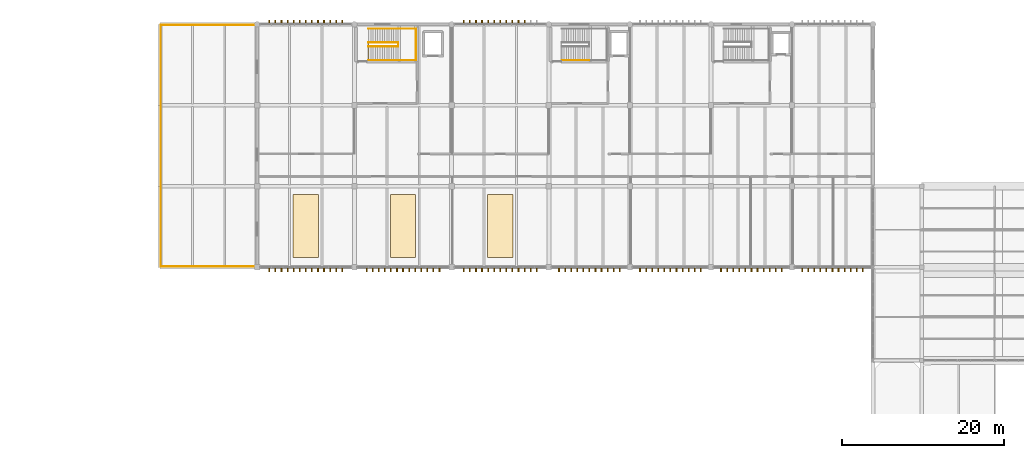
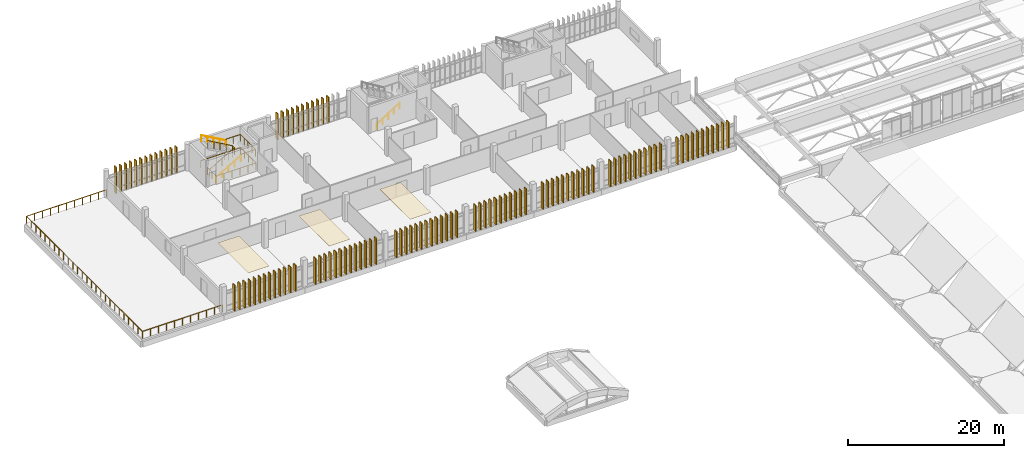
# One storey, part 81 of 82: 107 shading devices, 7 railings, 3 coverings.
"""IFC4 building model written with IfcOpenShell, lengths in metres."""

from ifc_helpers import new_model, si_unit, direction, frame, origin, origin_2d, place, context, subcontext, project, spatial, polyline, rectangle, circle, outline, extrude, material, layer, layer_set, type_object, element, save


model = new_model("IFC4")

# Units and contexts
model_context = context("Model", 3, precision=1e-05, world=origin(), true_north=direction((0.0, 1.0)))
body_context = subcontext(model_context, "Body", "Model", "MODEL_VIEW")
ifc_project = project(units=[si_unit("LENGTHUNIT", "METRE"), si_unit("AREAUNIT", "SQUARE_METRE"), si_unit("VOLUMEUNIT", "CUBIC_METRE"), si_unit("PLANEANGLEUNIT", "RADIAN"), si_unit("MASSUNIT", "GRAM", prefix="KILO")], contexts=[model_context])

# Site, building, storey
site_placement = place(None, origin())
site = spatial("IfcSite", under=ifc_project, at=site_placement, CompositionType="ELEMENT")
building_placement = place(site_placement, origin())
building = spatial("IfcBuilding", under=site, at=building_placement, Name="Mersad Railyard Sports Hall", CompositionType="ELEMENT")
storey_placement = place(building_placement, frame((0.0, 0.0, 13.199951171875)))
storey = spatial("IfcBuildingStorey", under=building, at=storey_placement, Name="L03", CompositionType="ELEMENT", Elevation=13.199951171875)

# Coverings
ifc_material_1 = material(Name="Gypsum plasterboard", Category="gypsum")
ifc_layer = layer(ifc_material_1, 0.02490234375)
ifc_layer_set = layer_set([ifc_layer], Name="Gypsum plasterboard")
covering_type = type_object("IfcCoveringType", Name="ARC-CV-CL01", PredefinedType="CEILING", material=ifc_layer_set)
covering_1_placement = place(storey_placement, frame((0.0, 0.0, 3.85498046875)))
element("IfcCovering", 1, at=covering_1_placement, inside=storey, type_object=covering_type, Name="Acoustic ceiling panel 010", PredefinedType="CEILING", context=body_context, shape_type="SweptSolid", body=[
    extrude(outline(polyline([(59.449951171875, 86.199951171875), (62.550048828125, 86.199951171875), (62.550048828125, 94.0), (59.449951171875, 94.0), (59.449951171875, 86.199951171875)])), origin(), (0.0, 0.0, 1.0), 0.025146484375),
])
covering_2_placement = place(storey_placement, frame((0.0, 0.0, 3.85498046875)))
element("IfcCovering", 2, at=covering_2_placement, inside=storey, type_object=covering_type, Name="Acoustic ceiling panel 011", PredefinedType="CEILING", context=body_context, shape_type="SweptSolid", body=[
    extrude(outline(polyline([(71.449951171875, 86.199951171875), (74.550048828125, 86.199951171875), (74.550048828125, 94.0), (71.449951171875, 94.0), (71.449951171875, 86.199951171875)])), origin(), (0.0, 0.0, 1.0), 0.025146484375),
])
covering_3_placement = place(storey_placement, frame((0.0, 0.0, 3.85498046875)))
element("IfcCovering", 3, at=covering_3_placement, inside=storey, type_object=covering_type, Name="Acoustic ceiling panel 012", PredefinedType="CEILING", context=body_context, shape_type="SweptSolid", body=[
    extrude(outline(polyline([(83.449951171875, 86.199951171875), (86.550048828125, 86.199951171875), (86.550048828125, 94.0), (83.449951171875, 94.0), (83.449951171875, 86.199951171875)])), origin(), (0.0, 0.0, 1.0), 0.025146484375),
])

# Railings
ifc_material_2 = material(Name="Steel S355", Category="steel")
railing_type_1 = type_object("IfcRailingType", Name="ARC-RL-GR01", PredefinedType="GUARDRAIL", material=ifc_material_2)
railing_1_placement = place(storey_placement, frame((54.949951171875, 85.10009765625, 0.0)))
element("IfcRailing", 4, at=railing_1_placement, inside=storey, type_object=railing_type_1, Name="Perimeter guard GR01-0006", PredefinedType="GUARDRAIL", context=body_context, shape_type="SweptSolid", body=[
    extrude(circle(Radius=0.02392578125, at=origin_2d()), frame((0.0, 0.0, 1.09619140625), z_axis=(-1.0, 0.0, 0.0), x_axis=(0.0, -1.0, 0.0)), (0.0, 0.0, 1.0), 11.849853515625),
    extrude(circle(Radius=0.02392578125, at=origin_2d()), frame((-11.849853515625, 0.0, 1.09619140625), z_axis=(0.0, 1.0, 0.0), x_axis=(-1.0, 0.0, 0.0)), (0.0, 0.0, 1.0), 29.7998046875),
    extrude(circle(Radius=0.02392578125, at=origin_2d()), frame((-11.849853515625, 29.7998046875, 1.09619140625), z_axis=(1.0, 0.0, 0.0), x_axis=(0.0, 1.0, 0.0)), (0.0, 0.0, 1.0), 11.849853515625),
    extrude(circle(Radius=0.02099609375, at=origin_2d()), origin(), (0.0, 0.0, 1.0), 1.072021484375),
    extrude(circle(Radius=0.02099609375, at=origin_2d()), frame((-1.18505859375, 0.0, 0.0)), (0.0, 0.0, 1.0), 1.072021484375),
    extrude(circle(Radius=0.02099609375, at=origin_2d()), frame((-2.369873046875, 0.0, 0.0)), (0.0, 0.0, 1.0), 1.072021484375),
    extrude(circle(Radius=0.02099609375, at=origin_2d()), frame((-3.554931640625, 0.0, 0.0)), (0.0, 0.0, 1.0), 1.072021484375),
    extrude(circle(Radius=0.02099609375, at=origin_2d()), frame((-4.739990234375, 0.0, 0.0)), (0.0, 0.0, 1.0), 1.072021484375),
    extrude(circle(Radius=0.02099609375, at=origin_2d()), frame((-5.9248046875, 0.0, 0.0)), (0.0, 0.0, 1.0), 1.072021484375),
    extrude(circle(Radius=0.02099609375, at=origin_2d()), frame((-7.10986328125, 0.0, 0.0)), (0.0, 0.0, 1.0), 1.072021484375),
    extrude(circle(Radius=0.02099609375, at=origin_2d()), frame((-8.294921875, 0.0, 0.0)), (0.0, 0.0, 1.0), 1.072021484375),
    extrude(circle(Radius=0.02099609375, at=origin_2d()), frame((-9.47998046875, 0.0, 0.0)), (0.0, 0.0, 1.0), 1.072021484375),
    extrude(circle(Radius=0.02099609375, at=origin_2d()), frame((-10.664794921875, 0.0, 0.0)), (0.0, 0.0, 1.0), 1.072021484375),
    extrude(circle(Radius=0.02099609375, at=origin_2d()), frame((-11.849853515625, 0.0, 0.0)), (0.0, 0.0, 1.0), 1.072021484375),
    extrude(circle(Radius=0.02099609375, at=origin_2d()), frame((-11.849853515625, 1.19189453125, 0.0)), (0.0, 0.0, 1.0), 1.072021484375),
    extrude(circle(Radius=0.02099609375, at=origin_2d()), frame((-11.849853515625, 2.384033203125, 0.0)), (0.0, 0.0, 1.0), 1.072021484375),
    extrude(circle(Radius=0.02099609375, at=origin_2d()), frame((-11.849853515625, 3.575927734375, 0.0)), (0.0, 0.0, 1.0), 1.072021484375),
    extrude(circle(Radius=0.02099609375, at=origin_2d()), frame((-11.849853515625, 4.76806640625, 0.0)), (0.0, 0.0, 1.0), 1.072021484375),
    extrude(circle(Radius=0.02099609375, at=origin_2d()), frame((-11.849853515625, 5.9599609375, 0.0)), (0.0, 0.0, 1.0), 1.072021484375),
    extrude(circle(Radius=0.02099609375, at=origin_2d()), frame((-11.849853515625, 7.15185546875, 0.0)), (0.0, 0.0, 1.0), 1.072021484375),
    extrude(circle(Radius=0.02099609375, at=origin_2d()), frame((-11.849853515625, 8.343994140625, 0.0)), (0.0, 0.0, 1.0), 1.072021484375),
    extrude(circle(Radius=0.02099609375, at=origin_2d()), frame((-11.849853515625, 9.535888671875, 0.0)), (0.0, 0.0, 1.0), 1.072021484375),
    extrude(circle(Radius=0.02099609375, at=origin_2d()), frame((-11.849853515625, 10.72802734375, 0.0)), (0.0, 0.0, 1.0), 1.072021484375),
    extrude(circle(Radius=0.02099609375, at=origin_2d()), frame((-11.849853515625, 11.919921875, 0.0)), (0.0, 0.0, 1.0), 1.072021484375),
    extrude(circle(Radius=0.02099609375, at=origin_2d()), frame((-11.849853515625, 13.11181640625, 0.0)), (0.0, 0.0, 1.0), 1.072021484375),
    extrude(circle(Radius=0.02099609375, at=origin_2d()), frame((-11.849853515625, 14.303955078125, 0.0)), (0.0, 0.0, 1.0), 1.072021484375),
    extrude(circle(Radius=0.02099609375, at=origin_2d()), frame((-11.849853515625, 15.495849609375, 0.0)), (0.0, 0.0, 1.0), 1.072021484375),
    extrude(circle(Radius=0.02099609375, at=origin_2d()), frame((-11.849853515625, 16.68798828125, 0.0)), (0.0, 0.0, 1.0), 1.072021484375),
    extrude(circle(Radius=0.02099609375, at=origin_2d()), frame((-11.849853515625, 17.8798828125, 0.0)), (0.0, 0.0, 1.0), 1.072021484375),
    extrude(circle(Radius=0.02099609375, at=origin_2d()), frame((-11.849853515625, 19.07177734375, 0.0)), (0.0, 0.0, 1.0), 1.072021484375),
    extrude(circle(Radius=0.02099609375, at=origin_2d()), frame((-11.849853515625, 20.263916015625, 0.0)), (0.0, 0.0, 1.0), 1.072021484375),
    extrude(circle(Radius=0.02099609375, at=origin_2d()), frame((-11.849853515625, 21.455810546875, 0.0)), (0.0, 0.0, 1.0), 1.072021484375),
    extrude(circle(Radius=0.02099609375, at=origin_2d()), frame((-11.849853515625, 22.64794921875, 0.0)), (0.0, 0.0, 1.0), 1.072021484375),
    extrude(circle(Radius=0.02099609375, at=origin_2d()), frame((-11.849853515625, 23.83984375, 0.0)), (0.0, 0.0, 1.0), 1.072021484375),
    extrude(circle(Radius=0.02099609375, at=origin_2d()), frame((-11.849853515625, 25.03173828125, 0.0)), (0.0, 0.0, 1.0), 1.072021484375),
    extrude(circle(Radius=0.02099609375, at=origin_2d()), frame((-11.849853515625, 26.223876953125, 0.0)), (0.0, 0.0, 1.0), 1.072021484375),
    extrude(circle(Radius=0.02099609375, at=origin_2d()), frame((-11.849853515625, 27.415771484375, 0.0)), (0.0, 0.0, 1.0), 1.072021484375),
    extrude(circle(Radius=0.02099609375, at=origin_2d()), frame((-11.849853515625, 28.60791015625, 0.0)), (0.0, 0.0, 1.0), 1.072021484375),
    extrude(circle(Radius=0.02099609375, at=origin_2d()), frame((-11.849853515625, 29.7998046875, 0.0)), (0.0, 0.0, 1.0), 1.072021484375),
    extrude(circle(Radius=0.02099609375, at=origin_2d()), frame((-10.664794921875, 29.7998046875, 0.0)), (0.0, 0.0, 1.0), 1.072021484375),
    extrude(circle(Radius=0.02099609375, at=origin_2d()), frame((-9.47998046875, 29.7998046875, 0.0)), (0.0, 0.0, 1.0), 1.072021484375),
    extrude(circle(Radius=0.02099609375, at=origin_2d()), frame((-8.294921875, 29.7998046875, 0.0)), (0.0, 0.0, 1.0), 1.072021484375),
    extrude(circle(Radius=0.02099609375, at=origin_2d()), frame((-7.10986328125, 29.7998046875, 0.0)), (0.0, 0.0, 1.0), 1.072021484375),
    extrude(circle(Radius=0.02099609375, at=origin_2d()), frame((-5.9248046875, 29.7998046875, 0.0)), (0.0, 0.0, 1.0), 1.072021484375),
    extrude(circle(Radius=0.02099609375, at=origin_2d()), frame((-4.739990234375, 29.7998046875, 0.0)), (0.0, 0.0, 1.0), 1.072021484375),
    extrude(circle(Radius=0.02099609375, at=origin_2d()), frame((-3.554931640625, 29.7998046875, 0.0)), (0.0, 0.0, 1.0), 1.072021484375),
    extrude(circle(Radius=0.02099609375, at=origin_2d()), frame((-2.369873046875, 29.7998046875, 0.0)), (0.0, 0.0, 1.0), 1.072021484375),
    extrude(circle(Radius=0.02099609375, at=origin_2d()), frame((-1.18505859375, 29.7998046875, 0.0)), (0.0, 0.0, 1.0), 1.072021484375),
    extrude(circle(Radius=0.02099609375, at=origin_2d()), frame((0.0, 29.7998046875, 0.0)), (0.0, 0.0, 1.0), 1.072021484375),
])
railing_2_placement = place(storey_placement, frame((68.7099609375, 112.72998046875, 0.0)))
element("IfcRailing", 5, at=railing_2_placement, inside=storey, type_object=railing_type_1, Name="Interior guard GR01-0020", PredefinedType="GUARDRAIL", context=body_context, shape_type="SweptSolid", body=[
    extrude(circle(Radius=0.02392578125, at=origin_2d()), frame((0.0, 0.0, 1.09619140625), z_axis=(0.0, -1.0, 0.0), x_axis=(1.0, 0.0, 0.0)), (0.0, 0.0, 1.0), 2.2099609375),
    extrude(circle(Radius=0.02392578125, at=origin_2d()), frame((0.0, -2.2099609375, 1.09619140625), z_axis=(1.0, 0.0, 0.0), x_axis=(0.0, 1.0, 0.0)), (0.0, 0.0, 1.0), 5.919921875),
    extrude(circle(Radius=0.02392578125, at=origin_2d()), frame((5.919921875, -2.2099609375, 1.09619140625), z_axis=(0.0, 1.0, 0.0), x_axis=(-1.0, 0.0, 0.0)), (0.0, 0.0, 1.0), 3.9599609375),
    extrude(circle(Radius=0.02392578125, at=origin_2d()), frame((5.919921875, 1.75, 1.09619140625), z_axis=(-1.0, 0.0, 0.0), x_axis=(0.0, -1.0, 0.0)), (0.0, 0.0, 1.0), 5.919921875),
    extrude(circle(Radius=0.02099609375, at=origin_2d()), origin(), (0.0, 0.0, 1.0), 1.072021484375),
    extrude(circle(Radius=0.02099609375, at=origin_2d()), frame((0.0, -1.10498046875, 0.0)), (0.0, 0.0, 1.0), 1.072021484375),
    extrude(circle(Radius=0.02099609375, at=origin_2d()), frame((0.0, -2.2099609375, 0.0)), (0.0, 0.0, 1.0), 1.072021484375),
    extrude(circle(Radius=0.02099609375, at=origin_2d()), frame((1.18408203125, -2.2099609375, 0.0)), (0.0, 0.0, 1.0), 1.072021484375),
    extrude(circle(Radius=0.02099609375, at=origin_2d()), frame((2.367919921875, -2.2099609375, 0.0)), (0.0, 0.0, 1.0), 1.072021484375),
    extrude(circle(Radius=0.02099609375, at=origin_2d()), frame((3.552001953125, -2.2099609375, 0.0)), (0.0, 0.0, 1.0), 1.072021484375),
    extrude(circle(Radius=0.02099609375, at=origin_2d()), frame((4.73583984375, -2.2099609375, 0.0)), (0.0, 0.0, 1.0), 1.072021484375),
    extrude(circle(Radius=0.02099609375, at=origin_2d()), frame((5.919921875, -2.2099609375, 0.0)), (0.0, 0.0, 1.0), 1.072021484375),
    extrude(circle(Radius=0.02099609375, at=origin_2d()), frame((5.919921875, -1.219970703125, 0.0)), (0.0, 0.0, 1.0), 1.072021484375),
    extrude(circle(Radius=0.02099609375, at=origin_2d()), frame((5.919921875, -0.22998046875, 0.0)), (0.0, 0.0, 1.0), 1.072021484375),
    extrude(circle(Radius=0.02099609375, at=origin_2d()), frame((5.919921875, 0.760009765625, 0.0)), (0.0, 0.0, 1.0), 1.072021484375),
    extrude(circle(Radius=0.02099609375, at=origin_2d()), frame((5.919921875, 1.75, 0.0)), (0.0, 0.0, 1.0), 1.072021484375),
    extrude(circle(Radius=0.02099609375, at=origin_2d()), frame((4.73583984375, 1.75, 0.0)), (0.0, 0.0, 1.0), 1.072021484375),
    extrude(circle(Radius=0.02099609375, at=origin_2d()), frame((3.552001953125, 1.75, 0.0)), (0.0, 0.0, 1.0), 1.072021484375),
    extrude(circle(Radius=0.02099609375, at=origin_2d()), frame((2.367919921875, 1.75, 0.0)), (0.0, 0.0, 1.0), 1.072021484375),
    extrude(circle(Radius=0.02099609375, at=origin_2d()), frame((1.18408203125, 1.75, 0.0)), (0.0, 0.0, 1.0), 1.072021484375),
    extrude(circle(Radius=0.02099609375, at=origin_2d()), frame((0.0, 1.75, 0.0)), (0.0, 0.0, 1.0), 1.072021484375),
])
railing_3_placement = place(storey_placement, frame((68.75, 112.25, 0.0)))
element("IfcRailing", 6, at=railing_3_placement, inside=storey, type_object=railing_type_1, Name="Interior guard GR01-0023", PredefinedType="GUARDRAIL", context=body_context, shape_type="SweptSolid", body=[
    extrude(circle(Radius=0.02392578125, at=origin_2d()), frame((0.0, 0.0, 1.09619140625), z_axis=(0.867709234389, 0.0, 0.497072112028), x_axis=(0.0, 1.0, 0.0)), (0.0, 0.0, 1.0), 4.224853515625),
    extrude(circle(Radius=0.02392578125, at=origin_2d()), frame((3.666015625, 0.0, 3.1962890625), z_axis=(0.0, 1.0, 0.0), x_axis=(-1.0, 0.0, 0.0)), (0.0, 0.0, 1.0), 0.5),
    extrude(circle(Radius=0.02392578125, at=origin_2d()), frame((3.666015625, 0.5, 3.1962890625), z_axis=(-0.867734157775, 0.0, 0.497028602226), x_axis=(0.0, -1.0, 0.0)), (0.0, 0.0, 1.0), 4.224853515625),
    extrude(circle(Radius=0.02099609375, at=origin_2d()), origin(), (0.0, 0.0, 1.0), 1.072021484375),
    extrude(circle(Radius=0.02099609375, at=origin_2d()), frame((0.91650390625, 0.0, 0.52490234375)), (0.0, 0.0, 1.0), 1.072021484375),
    extrude(circle(Radius=0.02099609375, at=origin_2d()), frame((1.8330078125, 0.0, 1.050048828125)), (0.0, 0.0, 1.0), 1.072021484375),
    extrude(circle(Radius=0.02099609375, at=origin_2d()), frame((2.74951171875, 0.0, 1.5751953125)), (0.0, 0.0, 1.0), 1.072021484375),
    extrude(circle(Radius=0.02099609375, at=origin_2d()), frame((3.666015625, 0.0, 2.10009765625)), (0.0, 0.0, 1.0), 1.072021484375),
    extrude(circle(Radius=0.02099609375, at=origin_2d()), frame((3.666015625, 0.5, 2.10009765625)), (0.0, 0.0, 1.0), 1.072021484375),
    extrude(circle(Radius=0.02099609375, at=origin_2d()), frame((2.74951171875, 0.5, 2.625)), (0.0, 0.0, 1.0), 1.072021484375),
    extrude(circle(Radius=0.02099609375, at=origin_2d()), frame((1.8330078125, 0.5, 3.14990234375)), (0.0, 0.0, 1.0), 1.072021484375),
    extrude(circle(Radius=0.02099609375, at=origin_2d()), frame((0.91650390625, 0.5, 3.675048828125)), (0.0, 0.0, 1.0), 1.072021484375),
    extrude(circle(Radius=0.02099609375, at=origin_2d()), frame((0.0, 0.5, 4.199951171875)), (0.0, 0.0, 1.0), 1.072021484375),
])
railing_4_placement = place(storey_placement, frame((72.416015625, 110.56005859375, 2.10009765625)))
element("IfcRailing", 7, at=railing_4_placement, inside=storey, type_object=railing_type_1, Name="Interior guard GR01-0024", PredefinedType="GUARDRAIL", context=body_context, shape_type="SweptSolid", body=[
    extrude(circle(Radius=0.02392578125, at=origin_2d()), frame((0.0, 0.0, 1.09619140625), z_axis=(1.0, 0.0, 0.0), x_axis=(0.0, 1.0, 0.0)), (0.0, 0.0, 1.0), 2.174072265625),
    extrude(circle(Radius=0.02392578125, at=origin_2d()), frame((2.174072265625, 0.0, 1.09619140625), z_axis=(0.0, 1.0, 0.0), x_axis=(-1.0, 0.0, 0.0)), (0.0, 0.0, 1.0), 3.8798828125),
    extrude(circle(Radius=0.02392578125, at=origin_2d()), frame((2.174072265625, 3.8798828125, 1.09619140625), z_axis=(-1.0, 0.0, 0.0), x_axis=(0.0, -1.0, 0.0)), (0.0, 0.0, 1.0), 2.174072265625),
    extrude(circle(Radius=0.02099609375, at=origin_2d()), origin(), (0.0, 0.0, 1.0), 1.072021484375),
    extrude(circle(Radius=0.02099609375, at=origin_2d()), frame((1.0869140625, 0.0, 0.0)), (0.0, 0.0, 1.0), 1.072021484375),
    extrude(circle(Radius=0.02099609375, at=origin_2d()), frame((2.174072265625, 0.0, 0.0)), (0.0, 0.0, 1.0), 1.072021484375),
    extrude(circle(Radius=0.02099609375, at=origin_2d()), frame((2.174072265625, 0.969970703125, 0.0)), (0.0, 0.0, 1.0), 1.072021484375),
    extrude(circle(Radius=0.02099609375, at=origin_2d()), frame((2.174072265625, 1.93994140625, 0.0)), (0.0, 0.0, 1.0), 1.072021484375),
    extrude(circle(Radius=0.02099609375, at=origin_2d()), frame((2.174072265625, 2.909912109375, 0.0)), (0.0, 0.0, 1.0), 1.072021484375),
    extrude(circle(Radius=0.02099609375, at=origin_2d()), frame((2.174072265625, 3.8798828125, 0.0)), (0.0, 0.0, 1.0), 1.072021484375),
    extrude(circle(Radius=0.02099609375, at=origin_2d()), frame((1.0869140625, 3.8798828125, 0.0)), (0.0, 0.0, 1.0), 1.072021484375),
    extrude(circle(Radius=0.02099609375, at=origin_2d()), frame((0.0, 3.8798828125, 0.0)), (0.0, 0.0, 1.0), 1.072021484375),
])
railing_type_2 = type_object("IfcRailingType", Name="ARC-RL-HR01", PredefinedType="HANDRAIL", material=ifc_material_2)
railing_5_placement = place(storey_placement, frame((68.75, 110.56005859375, 0.0)))
element("IfcRailing", 8, at=railing_5_placement, inside=storey, type_object=railing_type_2, Name="Interior handrail HR01-0021", PredefinedType="HANDRAIL", context=body_context, shape_type="SweptSolid", body=[
    extrude(circle(Radius=0.02392578125, at=origin_2d()), frame((0.0, 0.0, 0.89599609375), z_axis=(0.867709234389, 0.0, 0.497072112028), x_axis=(0.0, 1.0, 0.0)), (0.0, 0.0, 1.0), 4.224853515625),
    extrude(circle(Radius=0.02099609375, at=origin_2d()), origin(), (0.0, 0.0, 1.0), 0.871826171875),
    extrude(circle(Radius=0.02099609375, at=origin_2d()), frame((0.91650390625, 0.0, 0.52490234375)), (0.0, 0.0, 1.0), 0.871826171875),
    extrude(circle(Radius=0.02099609375, at=origin_2d()), frame((1.8330078125, 0.0, 1.050048828125)), (0.0, 0.0, 1.0), 0.871826171875),
    extrude(circle(Radius=0.02099609375, at=origin_2d()), frame((2.74951171875, 0.0, 1.5751953125)), (0.0, 0.0, 1.0), 0.871826171875),
    extrude(circle(Radius=0.02099609375, at=origin_2d()), frame((3.666015625, 0.0, 2.10009765625)), (0.0, 0.0, 1.0), 0.871826171875),
])
railing_6_placement = place(storey_placement, frame((72.416015625, 114.43994140625, 2.10009765625)))
element("IfcRailing", 9, at=railing_6_placement, inside=storey, type_object=railing_type_2, Name="Interior handrail HR01-0022", PredefinedType="HANDRAIL", context=body_context, shape_type="SweptSolid", body=[
    extrude(circle(Radius=0.02392578125, at=origin_2d()), frame((0.0, 0.0, 0.89599609375), z_axis=(-0.867734157775, 0.0, 0.497028602226), x_axis=(0.0, -1.0, 0.0)), (0.0, 0.0, 1.0), 4.224853515625),
    extrude(circle(Radius=0.02099609375, at=origin_2d()), origin(), (0.0, 0.0, 1.0), 0.871826171875),
    extrude(circle(Radius=0.02099609375, at=origin_2d()), frame((-0.91650390625, 0.0, 0.52490234375)), (0.0, 0.0, 1.0), 0.871826171875),
    extrude(circle(Radius=0.02099609375, at=origin_2d()), frame((-1.8330078125, 0.0, 1.0498046875)), (0.0, 0.0, 1.0), 0.871826171875),
    extrude(circle(Radius=0.02099609375, at=origin_2d()), frame((-2.74951171875, 0.0, 1.574951171875)), (0.0, 0.0, 1.0), 0.871826171875),
    extrude(circle(Radius=0.02099609375, at=origin_2d()), frame((-3.666015625, 0.0, 2.099853515625)), (0.0, 0.0, 1.0), 0.871826171875),
])
railing_7_placement = place(storey_placement, frame((92.60009765625, 110.56005859375, 0.0)))
element("IfcRailing", 10, at=railing_7_placement, inside=storey, type_object=railing_type_2, Name="Interior handrail HR01-0051", PredefinedType="HANDRAIL", context=body_context, shape_type="SweptSolid", body=[
    extrude(circle(Radius=0.02392578125, at=origin_2d()), frame((0.0, 0.0, 0.89599609375), z_axis=(0.849661003328, 0.0, 0.527329289367), x_axis=(0.0, 1.0, 0.0)), (0.0, 0.0, 1.0), 3.982421875),
    extrude(circle(Radius=0.02099609375, at=origin_2d()), origin(), (0.0, 0.0, 1.0), 0.871826171875),
    extrude(circle(Radius=0.02099609375, at=origin_2d()), frame((0.845947265625, 0.0, 0.52490234375)), (0.0, 0.0, 1.0), 0.871826171875),
    extrude(circle(Radius=0.02099609375, at=origin_2d()), frame((1.69189453125, 0.0, 1.050048828125)), (0.0, 0.0, 1.0), 0.871826171875),
    extrude(circle(Radius=0.02099609375, at=origin_2d()), frame((2.537841796875, 0.0, 1.5751953125)), (0.0, 0.0, 1.0), 0.871826171875),
    extrude(circle(Radius=0.02099609375, at=origin_2d()), frame((3.3837890625, 0.0, 2.10009765625)), (0.0, 0.0, 1.0), 0.871826171875),
])

# Shading devices
ifc_material_3 = material(Name="Precast concrete C45/55", Category="concrete")
shading_device_type = type_object("IfcShadingDeviceType", Name="ARC-SH-FN01", PredefinedType="USERDEFINED", material=ifc_material_3)
for number, where, z_axis, x_axis, name in (
    (11, (56.5, 115.25, -0.10009765625), (0.0, 0.0, 1.0), (1.0, 0.0, 0.0), "Precast sun fin FN01-0481"),
    (12, (57.25, 115.25, -0.10009765625), (0.0, 0.0, 1.0), (1.0, 0.0, 0.0), "Precast sun fin FN01-0482"),
    (13, (58.0, 115.25, -0.10009765625), (0.0, 0.0, 1.0), (1.0, 0.0, 0.0), "Precast sun fin FN01-0483"),
    (14, (58.75, 115.25, -0.10009765625), (0.0, 0.0, 1.0), (1.0, 0.0, 0.0), "Precast sun fin FN01-0484"),
    (15, (59.5, 115.25, -0.10009765625), (0.0, 0.0, 1.0), (1.0, 0.0, 0.0), "Precast sun fin FN01-0485"),
    (16, (60.25, 115.25, -0.10009765625), (0.0, 0.0, 1.0), (1.0, 0.0, 0.0), "Precast sun fin FN01-0486"),
    (17, (61.0, 115.25, -0.10009765625), (0.0, 0.0, 1.0), (1.0, 0.0, 0.0), "Precast sun fin FN01-0487"),
    (18, (61.75, 115.25, -0.10009765625), (0.0, 0.0, 1.0), (1.0, 0.0, 0.0), "Precast sun fin FN01-0488"),
    (19, (62.5, 115.25, -0.10009765625), (0.0, 0.0, 1.0), (1.0, 0.0, 0.0), "Precast sun fin FN01-0489"),
    (20, (63.25, 115.25, -0.10009765625), (0.0, 0.0, 1.0), (1.0, 0.0, 0.0), "Precast sun fin FN01-0490"),
    (21, (64.0, 115.25, -0.10009765625), (0.0, 0.0, 1.0), (1.0, 0.0, 0.0), "Precast sun fin FN01-0491"),
    (22, (64.75, 115.25, -0.10009765625), (0.0, 0.0, 1.0), (1.0, 0.0, 0.0), "Precast sun fin FN01-0492"),
    (23, (65.5, 115.25, -0.10009765625), (0.0, 0.0, 1.0), (1.0, 0.0, 0.0), "Precast sun fin FN01-0493"),
    (24, (80.5, 115.25, -0.10009765625), (0.0, 0.0, 1.0), (1.0, 0.0, 0.0), "Precast sun fin FN01-0494"),
    (25, (81.25, 115.25, -0.10009765625), (0.0, 0.0, 1.0), (1.0, 0.0, 0.0), "Precast sun fin FN01-0495"),
    (26, (82.0, 115.25, -0.10009765625), (0.0, 0.0, 1.0), (1.0, 0.0, 0.0), "Precast sun fin FN01-0496"),
    (27, (82.75, 115.25, -0.10009765625), (0.0, 0.0, 1.0), (1.0, 0.0, 0.0), "Precast sun fin FN01-0497"),
    (28, (83.5, 115.25, -0.10009765625), (0.0, 0.0, 1.0), (1.0, 0.0, 0.0), "Precast sun fin FN01-0498"),
    (29, (84.25, 115.25, -0.10009765625), (0.0, 0.0, 1.0), (1.0, 0.0, 0.0), "Precast sun fin FN01-0499"),
    (30, (85.0, 115.25, -0.10009765625), (0.0, 0.0, 1.0), (1.0, 0.0, 0.0), "Precast sun fin FN01-0500"),
    (31, (85.75, 115.25, -0.10009765625), (0.0, 0.0, 1.0), (1.0, 0.0, 0.0), "Precast sun fin FN01-0501"),
    (32, (86.5, 115.25, -0.10009765625), (0.0, 0.0, 1.0), (1.0, 0.0, 0.0), "Precast sun fin FN01-0502"),
    (33, (87.25, 115.25, -0.10009765625), (0.0, 0.0, 1.0), (1.0, 0.0, 0.0), "Precast sun fin FN01-0503"),
    (34, (88.0, 115.25, -0.10009765625), (0.0, 0.0, 1.0), (1.0, 0.0, 0.0), "Precast sun fin FN01-0504"),
    (35, (56.5, 84.75, -0.10009765625), (0.0, 0.0, 1.0), (1.0, 0.0, 0.0), "Precast sun fin FN01-0529"),
    (36, (57.25, 84.75, -0.10009765625), (0.0, 0.0, 1.0), (1.0, 0.0, 0.0), "Precast sun fin FN01-0530"),
    (37, (58.0, 84.75, -0.10009765625), (0.0, 0.0, 1.0), (1.0, 0.0, 0.0), "Precast sun fin FN01-0531"),
    (38, (58.75, 84.75, -0.10009765625), (0.0, 0.0, 1.0), (1.0, 0.0, 0.0), "Precast sun fin FN01-0532"),
    (39, (59.5, 84.75, -0.10009765625), (0.0, 0.0, 1.0), (1.0, 0.0, 0.0), "Precast sun fin FN01-0533"),
    (40, (60.25, 84.75, -0.10009765625), (0.0, 0.0, 1.0), (1.0, 0.0, 0.0), "Precast sun fin FN01-0534"),
    (41, (61.0, 84.75, -0.10009765625), (0.0, 0.0, 1.0), (1.0, 0.0, 0.0), "Precast sun fin FN01-0535"),
    (42, (61.75, 84.75, -0.10009765625), (0.0, 0.0, 1.0), (1.0, 0.0, 0.0), "Precast sun fin FN01-0536"),
    (43, (62.5, 84.75, -0.10009765625), (0.0, 0.0, 1.0), (1.0, 0.0, 0.0), "Precast sun fin FN01-0537"),
    (44, (63.25, 84.75, -0.10009765625), (0.0, 0.0, 1.0), (1.0, 0.0, 0.0), "Precast sun fin FN01-0538"),
    (45, (64.0, 84.75, -0.10009765625), (0.0, 0.0, 1.0), (1.0, 0.0, 0.0), "Precast sun fin FN01-0539"),
    (46, (64.75, 84.75, -0.10009765625), (0.0, 0.0, 1.0), (1.0, 0.0, 0.0), "Precast sun fin FN01-0540"),
    (47, (65.5, 84.75, -0.10009765625), (0.0, 0.0, 1.0), (1.0, 0.0, 0.0), "Precast sun fin FN01-0541"),
    (48, (68.5, 84.75, -0.10009765625), (0.0, 0.0, 1.0), (1.0, 0.0, 0.0), "Precast sun fin FN01-0542"),
    (49, (69.25, 84.75, -0.10009765625), (0.0, 0.0, 1.0), (1.0, 0.0, 0.0), "Precast sun fin FN01-0543"),
    (50, (70.0, 84.75, -0.10009765625), (0.0, 0.0, 1.0), (1.0, 0.0, 0.0), "Precast sun fin FN01-0544"),
    (51, (70.75, 84.75, -0.10009765625), (0.0, 0.0, 1.0), (1.0, 0.0, 0.0), "Precast sun fin FN01-0545"),
    (52, (71.5, 84.75, -0.10009765625), (0.0, 0.0, 1.0), (1.0, 0.0, 0.0), "Precast sun fin FN01-0546"),
    (53, (72.25, 84.75, -0.10009765625), (0.0, 0.0, 1.0), (1.0, 0.0, 0.0), "Precast sun fin FN01-0547"),
    (54, (73.0, 84.75, -0.10009765625), (0.0, 0.0, 1.0), (1.0, 0.0, 0.0), "Precast sun fin FN01-0548"),
    (55, (73.75, 84.75, -0.10009765625), (0.0, 0.0, 1.0), (1.0, 0.0, 0.0), "Precast sun fin FN01-0549"),
    (56, (74.5, 84.75, -0.10009765625), (0.0, 0.0, 1.0), (1.0, 0.0, 0.0), "Precast sun fin FN01-0550"),
    (57, (75.25, 84.75, -0.10009765625), (0.0, 0.0, 1.0), (1.0, 0.0, 0.0), "Precast sun fin FN01-0551"),
    (58, (76.0, 84.75, -0.10009765625), (0.0, 0.0, 1.0), (1.0, 0.0, 0.0), "Precast sun fin FN01-0552"),
    (59, (76.75, 84.75, -0.10009765625), (0.0, 0.0, 1.0), (1.0, 0.0, 0.0), "Precast sun fin FN01-0553"),
    (60, (77.5, 84.75, -0.10009765625), (0.0, 0.0, 1.0), (1.0, 0.0, 0.0), "Precast sun fin FN01-0554"),
    (61, (80.5, 84.75, -0.10009765625), (0.0, 0.0, 1.0), (1.0, 0.0, 0.0), "Precast sun fin FN01-0555"),
    (62, (81.25, 84.75, -0.10009765625), (0.0, 0.0, 1.0), (1.0, 0.0, 0.0), "Precast sun fin FN01-0556"),
    (63, (82.0, 84.75, -0.10009765625), (0.0, 0.0, 1.0), (1.0, 0.0, 0.0), "Precast sun fin FN01-0557"),
    (64, (82.75, 84.75, -0.10009765625), (0.0, 0.0, 1.0), (1.0, 0.0, 0.0), "Precast sun fin FN01-0558"),
    (65, (83.5, 84.75, -0.10009765625), (0.0, 0.0, 1.0), (1.0, 0.0, 0.0), "Precast sun fin FN01-0559"),
    (66, (84.25, 84.75, -0.10009765625), (0.0, 0.0, 1.0), (1.0, 0.0, 0.0), "Precast sun fin FN01-0560"),
    (67, (85.0, 84.75, -0.10009765625), (0.0, 0.0, 1.0), (1.0, 0.0, 0.0), "Precast sun fin FN01-0561"),
    (68, (85.75, 84.75, -0.10009765625), (0.0, 0.0, 1.0), (1.0, 0.0, 0.0), "Precast sun fin FN01-0562"),
    (69, (86.5, 84.75, -0.10009765625), (0.0, 0.0, 1.0), (1.0, 0.0, 0.0), "Precast sun fin FN01-0563"),
    (70, (87.25, 84.75, -0.10009765625), (0.0, 0.0, 1.0), (1.0, 0.0, 0.0), "Precast sun fin FN01-0564"),
    (71, (88.0, 84.75, -0.10009765625), (0.0, 0.0, 1.0), (1.0, 0.0, 0.0), "Precast sun fin FN01-0565"),
    (72, (88.75, 84.75, -0.10009765625), (0.0, 0.0, 1.0), (1.0, 0.0, 0.0), "Precast sun fin FN01-0566"),
    (73, (89.5, 84.75, -0.10009765625), (0.0, 0.0, 1.0), (1.0, 0.0, 0.0), "Precast sun fin FN01-0567"),
    (74, (92.25, 84.75, -0.10009765625), (0.0, 0.0, 1.0), (1.0, 0.0, 0.0), "Precast sun fin FN01-0568"),
    (75, (93.0, 84.75, -0.10009765625), (0.0, 0.0, 1.0), (1.0, 0.0, 0.0), "Precast sun fin FN01-0569"),
    (76, (93.75, 84.75, -0.10009765625), (0.0, 0.0, 1.0), (1.0, 0.0, 0.0), "Precast sun fin FN01-0570"),
    (77, (94.5, 84.75, -0.10009765625), (0.0, 0.0, 1.0), (1.0, 0.0, 0.0), "Precast sun fin FN01-0571"),
    (78, (95.25, 84.75, -0.10009765625), (0.0, 0.0, 1.0), (1.0, 0.0, 0.0), "Precast sun fin FN01-0572"),
    (79, (96.0, 84.75, -0.10009765625), (0.0, 0.0, 1.0), (1.0, 0.0, 0.0), "Precast sun fin FN01-0573"),
    (80, (96.75, 84.75, -0.10009765625), (0.0, 0.0, 1.0), (1.0, 0.0, 0.0), "Precast sun fin FN01-0574"),
    (81, (97.5, 84.75, -0.10009765625), (0.0, 0.0, 1.0), (1.0, 0.0, 0.0), "Precast sun fin FN01-0575"),
    (82, (98.25, 84.75, -0.10009765625), (0.0, 0.0, 1.0), (1.0, 0.0, 0.0), "Precast sun fin FN01-0576"),
    (83, (99.0, 84.75, -0.10009765625), (0.0, 0.0, 1.0), (1.0, 0.0, 0.0), "Precast sun fin FN01-0577"),
    (84, (99.75, 84.75, -0.10009765625), (0.0, 0.0, 1.0), (1.0, 0.0, 0.0), "Precast sun fin FN01-0578"),
    (85, (102.25, 84.75, -0.10009765625), (0.0, 0.0, 1.0), (1.0, 0.0, 0.0), "Precast sun fin FN01-0579"),
    (86, (103.0, 84.75, -0.10009765625), (0.0, 0.0, 1.0), (1.0, 0.0, 0.0), "Precast sun fin FN01-0580"),
    (87, (103.75, 84.75, -0.10009765625), (0.0, 0.0, 1.0), (1.0, 0.0, 0.0), "Precast sun fin FN01-0581"),
    (88, (104.5, 84.75, -0.10009765625), (0.0, 0.0, 1.0), (1.0, 0.0, 0.0), "Precast sun fin FN01-0582"),
    (89, (105.25, 84.75, -0.10009765625), (0.0, 0.0, 1.0), (1.0, 0.0, 0.0), "Precast sun fin FN01-0583"),
    (90, (106.0, 84.75, -0.10009765625), (0.0, 0.0, 1.0), (1.0, 0.0, 0.0), "Precast sun fin FN01-0584"),
    (91, (106.75, 84.75, -0.10009765625), (0.0, 0.0, 1.0), (1.0, 0.0, 0.0), "Precast sun fin FN01-0585"),
    (92, (107.5, 84.75, -0.10009765625), (0.0, 0.0, 1.0), (1.0, 0.0, 0.0), "Precast sun fin FN01-0586"),
    (93, (108.25, 84.75, -0.10009765625), (0.0, 0.0, 1.0), (1.0, 0.0, 0.0), "Precast sun fin FN01-0587"),
    (94, (109.0, 84.75, -0.10009765625), (0.0, 0.0, 1.0), (1.0, 0.0, 0.0), "Precast sun fin FN01-0588"),
    (95, (109.75, 84.75, -0.10009765625), (0.0, 0.0, 1.0), (1.0, 0.0, 0.0), "Precast sun fin FN01-0589"),
    (96, (112.25, 84.75, -0.10009765625), (0.0, 0.0, 1.0), (1.0, 0.0, 0.0), "Precast sun fin FN01-0590"),
    (97, (113.0, 84.75, -0.10009765625), (0.0, 0.0, 1.0), (1.0, 0.0, 0.0), "Precast sun fin FN01-0591"),
    (98, (113.75, 84.75, -0.10009765625), (0.0, 0.0, 1.0), (1.0, 0.0, 0.0), "Precast sun fin FN01-0592"),
    (99, (114.5, 84.75, -0.10009765625), (0.0, 0.0, 1.0), (1.0, 0.0, 0.0), "Precast sun fin FN01-0593"),
    (100, (115.25, 84.75, -0.10009765625), (0.0, 0.0, 1.0), (1.0, 0.0, 0.0), "Precast sun fin FN01-0594"),
    (101, (116.0, 84.75, -0.10009765625), (0.0, 0.0, 1.0), (1.0, 0.0, 0.0), "Precast sun fin FN01-0595"),
    (102, (116.75, 84.75, -0.10009765625), (0.0, 0.0, 1.0), (1.0, 0.0, 0.0), "Precast sun fin FN01-0596"),
    (103, (117.5, 84.75, -0.10009765625), (0.0, 0.0, 1.0), (1.0, 0.0, 0.0), "Precast sun fin FN01-0597"),
    (104, (118.25, 84.75, -0.10009765625), (0.0, 0.0, 1.0), (1.0, 0.0, 0.0), "Precast sun fin FN01-0598"),
    (105, (119.0, 84.75, -0.10009765625), (0.0, 0.0, 1.0), (1.0, 0.0, 0.0), "Precast sun fin FN01-0599"),
    (106, (119.75, 84.75, -0.10009765625), (0.0, 0.0, 1.0), (1.0, 0.0, 0.0), "Precast sun fin FN01-0600"),
    (107, (122.25, 84.75, -0.10009765625), (0.0, 0.0, 1.0), (1.0, 0.0, 0.0), "Precast sun fin FN01-0601"),
    (108, (123.0, 84.75, -0.10009765625), (0.0, 0.0, 1.0), (1.0, 0.0, 0.0), "Precast sun fin FN01-0602"),
    (109, (123.75, 84.75, -0.10009765625), (0.0, 0.0, 1.0), (1.0, 0.0, 0.0), "Precast sun fin FN01-0603"),
    (110, (124.5, 84.75, -0.10009765625), (0.0, 0.0, 1.0), (1.0, 0.0, 0.0), "Precast sun fin FN01-0604"),
    (111, (125.25, 84.75, -0.10009765625), (0.0, 0.0, 1.0), (1.0, 0.0, 0.0), "Precast sun fin FN01-0605"),
    (112, (126.0, 84.75, -0.10009765625), (0.0, 0.0, 1.0), (1.0, 0.0, 0.0), "Precast sun fin FN01-0606"),
    (113, (126.75, 84.75, -0.10009765625), (0.0, 0.0, 1.0), (1.0, 0.0, 0.0), "Precast sun fin FN01-0607"),
    (114, (127.5, 84.75, -0.10009765625), (0.0, 0.0, 1.0), (1.0, 0.0, 0.0), "Precast sun fin FN01-0608"),
    (115, (128.25, 84.75, -0.10009765625), (0.0, 0.0, 1.0), (1.0, 0.0, 0.0), "Precast sun fin FN01-0609"),
    (116, (129.0, 84.75, -0.10009765625), (0.0, 0.0, 1.0), (1.0, 0.0, 0.0), "Precast sun fin FN01-0610"),
    (117, (129.75, 84.75, -0.10009765625), (0.0, 0.0, 1.0), (1.0, 0.0, 0.0), "Precast sun fin FN01-0611"),
):
    element("IfcShadingDevice", number, at=place(storey_placement, frame(where, z_axis=z_axis, x_axis=x_axis)), inside=storey, type_object=shading_device_type, Name=name, ObjectType="FIN", PredefinedType="USERDEFINED", context=body_context, shape_type="SweptSolid", body=[
        extrude(rectangle(XDim=0.139892578125, YDim=0.550048828125, at=origin_2d()), origin(), (0.0, 0.0, 1.0), 4.080078125),
    ])

save(model, "model.ifc")
